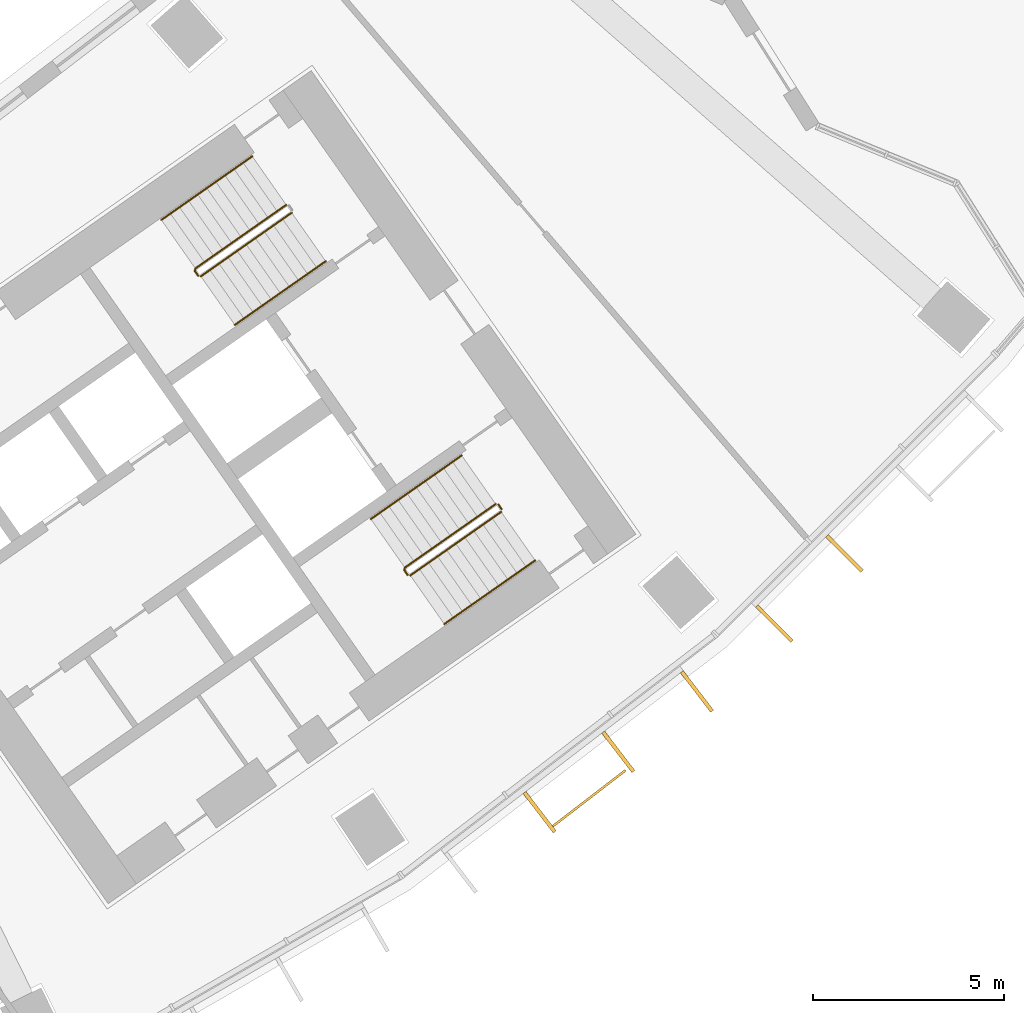
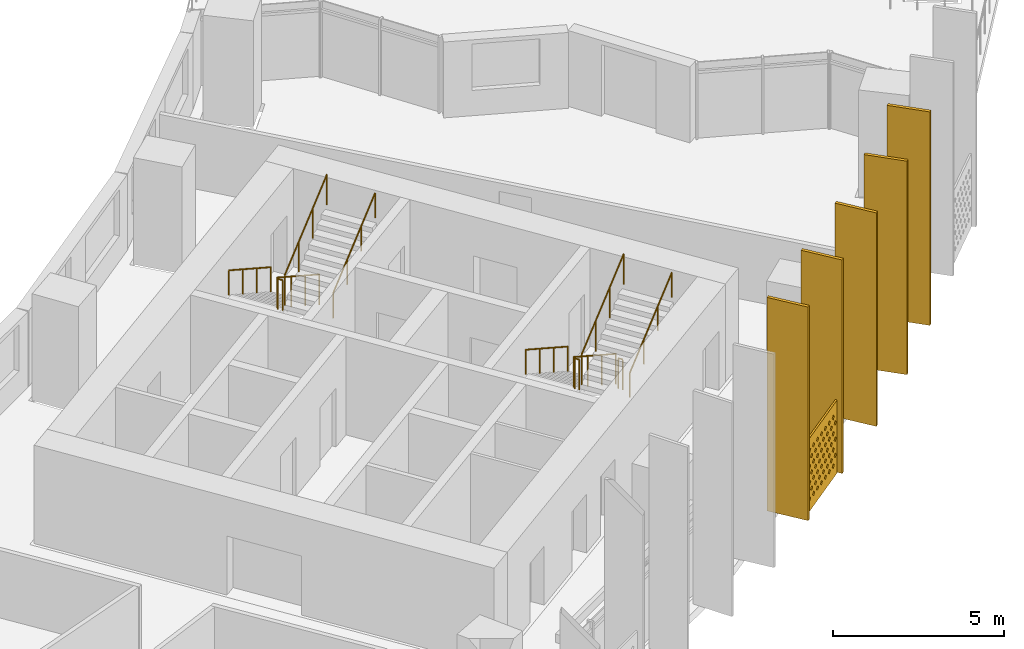
# One storey, part 30 of 33: 9 railings, 6 shading devices.
"""IFC4 building model written with IfcOpenShell, lengths in metres."""

import ifcopenshell
import ifcopenshell.guid

model = None  # the IFC model being written
_history = None  # IfcOwnerHistory: only IFC2X3 demands one
_inside = {}  # id of a spatial element -> (the spatial element, [elements in it])
_under = {}  # id of a project, library or spatial element -> (it, [spatial elements below it])
_declared = {}  # id of a project -> (the project, [libraries it declares])
_typed = {}  # id of a type object -> (the type object, [elements of that type])
_made_of = {}  # id of a material, layer set ... -> (it, [elements and type objects made of it])


def new_model(schema):
    """Start an empty IFC model of exactly this schema.

    Asked for "IFC4X3", IfcOpenShell would pick the latest addendum, in which some entities
    have other attributes; the version numbers below select the first issue.
    IFC2X3 requires an IfcOwnerHistory on every rooted entity: one is made here for all.
    """
    global model, _history
    if schema == "IFC4X3":
        model = ifcopenshell.file(schema_version=(4, 3, 0, 0))
    else:
        model = ifcopenshell.file(schema=schema)
    _inside.clear()
    _under.clear()
    _declared.clear()
    _typed.clear()
    _made_of.clear()
    _history = None
    if model.schema == "IFC2X3":
        org = make("IfcOrganization", Name="unknown")
        user = make(
            "IfcPersonAndOrganization",
            ThePerson=make("IfcPerson", FamilyName="unknown"),
            TheOrganization=org,
        )
        app = make(
            "IfcApplication",
            ApplicationDeveloper=org,
            Version="unknown",
            ApplicationFullName="unknown",
            ApplicationIdentifier="unknown",
        )
        _history = make(
            "IfcOwnerHistory",
            OwningUser=user,
            OwningApplication=app,
            ChangeAction="ADDED",
            CreationDate=0,
        )
    return model


def make(cls, **values):
    """One entity of the class cls with the attributes given. An attribute that is None is left unset."""
    return model.create_entity(
        cls, **{name: value for name, value in values.items() if value is not None}
    )


def rooted(cls, **values):
    """An entity with a GlobalId (a new one), such as an element, a storey or a relation."""
    return make(cls, GlobalId=ifcopenshell.guid.new(), OwnerHistory=_history, **values)


def si_unit(unit_type, name, prefix=None):
    """IfcSIUnit, for example si_unit("LENGTHUNIT", "METRE", prefix="MILLI")."""
    return make("IfcSIUnit", UnitType=unit_type, Prefix=prefix, Name=name)


def assignment(units):
    """IfcUnitAssignment: the units of a project."""
    return None if units is None else make("IfcUnitAssignment", Units=units)


def point(xyz):
    """IfcCartesianPoint."""
    return None if xyz is None else make("IfcCartesianPoint", Coordinates=xyz)


def direction(xyz):
    """IfcDirection."""
    return None if xyz is None else make("IfcDirection", DirectionRatios=xyz)


def frame(location, z_axis=None, x_axis=None):
    """IfcAxis2Placement3D, a coordinate frame: its origin and axes. An axis left out is left unset."""
    return make(
        "IfcAxis2Placement3D",
        Location=point(location),
        Axis=direction(z_axis),
        RefDirection=direction(x_axis),
    )


def frame_2d(location, x_axis=None):
    """IfcAxis2Placement2D, a coordinate frame in the plane: its origin and x axis."""
    return make(
        "IfcAxis2Placement2D", Location=point(location), RefDirection=direction(x_axis)
    )


def origin():
    """The frame at (0, 0, 0) with its axes left unset."""
    return frame((0.0, 0.0, 0.0))


def origin_2d():
    """The frame at (0, 0) in the plane with its x axis left unset."""
    return frame_2d((0.0, 0.0))


def place(relative_to, where):
    """IfcLocalPlacement: puts the frame where relative to a parent placement (None: the world)."""
    return make(
        "IfcLocalPlacement", PlacementRelTo=relative_to, RelativePlacement=where
    )


def context(
    kind, dimensions, precision=None, world=None, true_north=None, identifier=None
):
    """IfcGeometricRepresentationContext, for example the 3D "Model" context."""
    return make(
        "IfcGeometricRepresentationContext",
        ContextIdentifier=identifier,
        ContextType=kind,
        CoordinateSpaceDimension=dimensions,
        Precision=precision,
        WorldCoordinateSystem=world,
        TrueNorth=true_north,
    )


def subcontext(parent, identifier, kind, view, scale=None):
    """IfcGeometricRepresentationSubContext, for example "Body" below "Model"."""
    return make(
        "IfcGeometricRepresentationSubContext",
        ContextIdentifier=identifier,
        ContextType=kind,
        ParentContext=parent,
        TargetScale=scale,
        TargetView=view,
    )


def project(units=None, contexts=None):
    """IfcProject with its units and contexts."""
    return rooted(
        "IfcProject",
        Name="project",
        RepresentationContexts=contexts,
        UnitsInContext=assignment(units),
    )


def spatial(cls, under=None, at=None, **own):
    """A site, building, storey or space (cls), placed at a placement, below another one or the project."""
    s = rooted(cls, ObjectPlacement=at, **own)
    if under is not None:
        _under.setdefault(under.id(), (under, []))[1].append(s)
    return s


def polyline(points):
    """IfcPolyline through the points."""
    return make("IfcPolyline", Points=[point(p) for p in points])


def profile(cls, at=None, kind="AREA", **sizes):
    """A parametric profile (cls). Its sizes go by their IFC names, for example OverallWidth=200.0."""
    return make(cls, ProfileType=kind, Position=at, **sizes)


def rectangle(**sizes):
    """IfcRectangleProfileDef."""
    return profile("IfcRectangleProfileDef", **sizes)


def circle(**sizes):
    """IfcCircleProfileDef."""
    return profile("IfcCircleProfileDef", **sizes)


def outline(outer, holes=None, kind="AREA"):
    """IfcArbitraryClosedProfileDef: a profile drawn as a closed curve; with holes, ...WithVoids."""
    if holes is None:
        return make("IfcArbitraryClosedProfileDef", ProfileType=kind, OuterCurve=outer)
    return make(
        "IfcArbitraryProfileDefWithVoids",
        ProfileType=kind,
        OuterCurve=outer,
        InnerCurves=holes,
    )


def extrude(swept, where, along, depth):
    """IfcExtrudedAreaSolid: the profile swept, set in the frame where, extruded along a direction by depth."""
    return make(
        "IfcExtrudedAreaSolid",
        SweptArea=swept,
        Position=where,
        ExtrudedDirection=direction(along),
        Depth=depth,
    )


def shape(context_of_items, identifier, shape_type, items):
    """IfcShapeRepresentation: the items that make up one representation, for example the "Body"."""
    return make(
        "IfcShapeRepresentation",
        ContextOfItems=context_of_items,
        RepresentationIdentifier=identifier,
        RepresentationType=shape_type,
        Items=items,
    )


def material(Name=None, Category=None):
    """IfcMaterial."""
    return make("IfcMaterial", Name=Name, Category=Category)


def material_profile(
    of_material, cross_section, Name=None, Category=None, Priority=None
):
    """IfcMaterialProfile: a cross section and its material."""
    return make(
        "IfcMaterialProfile",
        Name=Name,
        Material=of_material,
        Profile=cross_section,
        Priority=Priority,
        Category=Category,
    )


def profile_set(profiles, Name=None, composite=None):
    """IfcMaterialProfileSet."""
    return make(
        "IfcMaterialProfileSet",
        Name=Name,
        MaterialProfiles=profiles,
        CompositeProfile=composite,
    )


def made_of(thing, what):
    """Note that an element or type object is made of a material, layer set ...; save() writes the relation."""
    if what is not None:
        _made_of.setdefault(what.id(), (what, []))[1].append(thing)
    return thing


def type_object(cls, material=None, **own):
    """A type object (cls), such as IfcWallType, which elements share."""
    return made_of(rooted(cls, **own), material)


def element(
    cls,
    number,
    at=None,
    inside=None,
    cuts=None,
    type_object=None,
    material=None,
    context=None,
    identifier="Body",
    shape_type=None,
    held_by="IfcProductDefinitionShape",
    body=None,
    shapes=None,
    **own,
):
    """One element of the class cls, such as IfcWall. Its Tag is "e" and its number.

    at: its placement. inside: the storey or other place that contains it. cuts: it is an
    opening in that element (IfcRelVoidsElement). A single representation is given by context,
    identifier, shape_type and body (its items); several are given by shapes. held_by: the class
    of the entity that holds the representations. save() writes the other relations.
    """
    e = rooted(cls, Tag="e%d" % number, ObjectPlacement=at, **own)
    if body is not None:
        shapes = [shape(context, identifier, shape_type, body)]
    if shapes is not None:
        e.Representation = make(held_by, Representations=shapes)
    if inside is not None:
        _inside.setdefault(inside.id(), (inside, []))[1].append(e)
    if cuts is not None:
        rooted(
            "IfcRelVoidsElement", RelatingBuildingElement=cuts, RelatedOpeningElement=e
        )
    if type_object is not None:
        _typed.setdefault(type_object.id(), (type_object, []))[1].append(e)
    return made_of(e, material)


def aggregate(whole, parts):
    """IfcRelAggregates: a whole, such as a stair, and the parts it consists of."""
    return rooted("IfcRelAggregates", RelatingObject=whole, RelatedObjects=parts)


def save(model, path):
    """Write the relations noted so far, then the file.

    IfcRelAggregates (storeys below a building ...), IfcRelContainedInSpatialStructure (elements
    in a storey), IfcRelDefinesByType, IfcRelAssociatesMaterial and IfcRelDeclares: one each for
    every whole, place, type object, material and project.
    """
    for whole, parts in _under.values():
        aggregate(whole, parts)
    for where, things in _inside.values():
        rooted(
            "IfcRelContainedInSpatialStructure",
            RelatedElements=things,
            RelatingStructure=where,
        )
    for kind, things in _typed.values():
        rooted("IfcRelDefinesByType", RelatedObjects=things, RelatingType=kind)
    for what, things in _made_of.values():
        rooted("IfcRelAssociatesMaterial", RelatedObjects=things, RelatingMaterial=what)
    for by, libraries in _declared.values():
        rooted("IfcRelDeclares", RelatingContext=by, RelatedDefinitions=libraries)
    model.write(path)


model = new_model("IFC4")

# Units and contexts
model_context = context("Model", 3, precision=1e-05, world=origin(), true_north=direction((0.0, 1.0)))
body_context = subcontext(model_context, "Body", "Model", "MODEL_VIEW")
ifc_project = project(units=[si_unit("LENGTHUNIT", "METRE"), si_unit("AREAUNIT", "SQUARE_METRE"), si_unit("VOLUMEUNIT", "CUBIC_METRE"), si_unit("PLANEANGLEUNIT", "RADIAN"), si_unit("MASSUNIT", "GRAM", prefix="KILO")], contexts=[model_context])

# Site, building, storey
site_placement = place(None, origin())
site = spatial("IfcSite", under=ifc_project, at=site_placement, CompositionType="ELEMENT")
building_placement = place(site_placement, origin())
building = spatial("IfcBuilding", under=site, at=building_placement, Name="Qamariyya Broadcast Tower", CompositionType="ELEMENT")
storey_placement = place(building_placement, frame((0.0, 0.0, 94.89990234375)))
storey = spatial("IfcBuildingStorey", under=building, at=storey_placement, Name="L20", CompositionType="ELEMENT", Elevation=94.89990234375)

# Shading device
ifc_material_1 = material(Name="Perforated glazed terracotta", Category="masonry")
ifc_material_profile_1 = material_profile(ifc_material_1, outline(polyline([(-1.199951171875, -1.300048828125), (1.199951171875, -1.300048828125), (1.199951171875, 1.300048828125), (-1.199951171875, 1.300048828125), (-1.199951171875, -1.300048828125)]), holes=[polyline([(-0.81494140625, -0.86669921875), (-0.89990234375, -0.78173828125), (-0.985107421875, -0.86669921875), (-0.89990234375, -0.95166015625), (-0.81494140625, -0.86669921875)]), polyline([(-0.514892578125, -0.86669921875), (-0.60009765625, -0.78173828125), (-0.68505859375, -0.86669921875), (-0.60009765625, -0.95166015625), (-0.514892578125, -0.86669921875)]), polyline([(-0.215087890625, -0.86669921875), (-0.300048828125, -0.78173828125), (-0.385009765625, -0.86669921875), (-0.300048828125, -0.95166015625), (-0.215087890625, -0.86669921875)]), polyline([(0.0849609375, -0.86669921875), (0.0, -0.78173828125), (-0.0849609375, -0.86669921875), (0.0, -0.95166015625), (0.0849609375, -0.86669921875)]), polyline([(0.385009765625, -0.86669921875), (0.300048828125, -0.78173828125), (0.215087890625, -0.86669921875), (0.300048828125, -0.95166015625), (0.385009765625, -0.86669921875)]), polyline([(0.68505859375, -0.86669921875), (0.60009765625, -0.78173828125), (0.514892578125, -0.86669921875), (0.60009765625, -0.95166015625), (0.68505859375, -0.86669921875)]), polyline([(0.985107421875, -0.86669921875), (0.89990234375, -0.78173828125), (0.81494140625, -0.86669921875), (0.89990234375, -0.95166015625), (0.985107421875, -0.86669921875)]), polyline([(-0.965087890625, -0.577880859375), (-1.050048828125, -0.49267578125), (-1.135009765625, -0.577880859375), (-1.050048828125, -0.662841796875), (-0.965087890625, -0.577880859375)]), polyline([(-0.6650390625, -0.577880859375), (-0.75, -0.49267578125), (-0.8349609375, -0.577880859375), (-0.75, -0.662841796875), (-0.6650390625, -0.577880859375)]), polyline([(-0.364990234375, -0.577880859375), (-0.449951171875, -0.49267578125), (-0.534912109375, -0.577880859375), (-0.449951171875, -0.662841796875), (-0.364990234375, -0.577880859375)]), polyline([(-0.06494140625, -0.577880859375), (-0.14990234375, -0.49267578125), (-0.235107421875, -0.577880859375), (-0.14990234375, -0.662841796875), (-0.06494140625, -0.577880859375)]), polyline([(0.235107421875, -0.577880859375), (0.14990234375, -0.49267578125), (0.06494140625, -0.577880859375), (0.14990234375, -0.662841796875), (0.235107421875, -0.577880859375)]), polyline([(0.534912109375, -0.577880859375), (0.449951171875, -0.49267578125), (0.364990234375, -0.577880859375), (0.449951171875, -0.662841796875), (0.534912109375, -0.577880859375)]), polyline([(0.8349609375, -0.577880859375), (0.75, -0.49267578125), (0.6650390625, -0.577880859375), (0.75, -0.662841796875), (0.8349609375, -0.577880859375)]), polyline([(1.135009765625, -0.577880859375), (1.050048828125, -0.49267578125), (0.965087890625, -0.577880859375), (1.050048828125, -0.662841796875), (1.135009765625, -0.577880859375)]), polyline([(-0.81494140625, -0.288818359375), (-0.89990234375, -0.203857421875), (-0.985107421875, -0.288818359375), (-0.89990234375, -0.373779296875), (-0.81494140625, -0.288818359375)]), polyline([(-0.514892578125, -0.288818359375), (-0.60009765625, -0.203857421875), (-0.68505859375, -0.288818359375), (-0.60009765625, -0.373779296875), (-0.514892578125, -0.288818359375)]), polyline([(-0.215087890625, -0.288818359375), (-0.300048828125, -0.203857421875), (-0.385009765625, -0.288818359375), (-0.300048828125, -0.373779296875), (-0.215087890625, -0.288818359375)]), polyline([(0.0849609375, -0.288818359375), (0.0, -0.203857421875), (-0.0849609375, -0.288818359375), (0.0, -0.373779296875), (0.0849609375, -0.288818359375)]), polyline([(0.385009765625, -0.288818359375), (0.300048828125, -0.203857421875), (0.215087890625, -0.288818359375), (0.300048828125, -0.373779296875), (0.385009765625, -0.288818359375)]), polyline([(0.68505859375, -0.288818359375), (0.60009765625, -0.203857421875), (0.514892578125, -0.288818359375), (0.60009765625, -0.373779296875), (0.68505859375, -0.288818359375)]), polyline([(0.985107421875, -0.288818359375), (0.89990234375, -0.203857421875), (0.81494140625, -0.288818359375), (0.89990234375, -0.373779296875), (0.985107421875, -0.288818359375)]), polyline([(-0.965087890625, 0.0), (-1.050048828125, 0.0849609375), (-1.135009765625, 0.0), (-1.050048828125, -0.0849609375), (-0.965087890625, 0.0)]), polyline([(-0.6650390625, 0.0), (-0.75, 0.0849609375), (-0.8349609375, 0.0), (-0.75, -0.0849609375), (-0.6650390625, 0.0)]), polyline([(-0.364990234375, 0.0), (-0.449951171875, 0.0849609375), (-0.534912109375, 0.0), (-0.449951171875, -0.0849609375), (-0.364990234375, 0.0)]), polyline([(-0.06494140625, 0.0), (-0.14990234375, 0.0849609375), (-0.235107421875, 0.0), (-0.14990234375, -0.0849609375), (-0.06494140625, 0.0)]), polyline([(0.235107421875, 0.0), (0.14990234375, 0.0849609375), (0.06494140625, 0.0), (0.14990234375, -0.0849609375), (0.235107421875, 0.0)]), polyline([(0.534912109375, 0.0), (0.449951171875, 0.0849609375), (0.364990234375, 0.0), (0.449951171875, -0.0849609375), (0.534912109375, 0.0)]), polyline([(0.8349609375, 0.0), (0.75, 0.0849609375), (0.6650390625, 0.0), (0.75, -0.0849609375), (0.8349609375, 0.0)]), polyline([(1.135009765625, 0.0), (1.050048828125, 0.0849609375), (0.965087890625, 0.0), (1.050048828125, -0.0849609375), (1.135009765625, 0.0)]), polyline([(-0.81494140625, 0.288818359375), (-0.89990234375, 0.373779296875), (-0.985107421875, 0.288818359375), (-0.89990234375, 0.203857421875), (-0.81494140625, 0.288818359375)]), polyline([(-0.514892578125, 0.288818359375), (-0.60009765625, 0.373779296875), (-0.68505859375, 0.288818359375), (-0.60009765625, 0.203857421875), (-0.514892578125, 0.288818359375)]), polyline([(-0.215087890625, 0.288818359375), (-0.300048828125, 0.373779296875), (-0.385009765625, 0.288818359375), (-0.300048828125, 0.203857421875), (-0.215087890625, 0.288818359375)]), polyline([(0.0849609375, 0.288818359375), (0.0, 0.373779296875), (-0.0849609375, 0.288818359375), (0.0, 0.203857421875), (0.0849609375, 0.288818359375)]), polyline([(0.385009765625, 0.288818359375), (0.300048828125, 0.373779296875), (0.215087890625, 0.288818359375), (0.300048828125, 0.203857421875), (0.385009765625, 0.288818359375)]), polyline([(0.68505859375, 0.288818359375), (0.60009765625, 0.373779296875), (0.514892578125, 0.288818359375), (0.60009765625, 0.203857421875), (0.68505859375, 0.288818359375)]), polyline([(0.985107421875, 0.288818359375), (0.89990234375, 0.373779296875), (0.81494140625, 0.288818359375), (0.89990234375, 0.203857421875), (0.985107421875, 0.288818359375)]), polyline([(-0.965087890625, 0.577880859375), (-1.050048828125, 0.662841796875), (-1.135009765625, 0.577880859375), (-1.050048828125, 0.49267578125), (-0.965087890625, 0.577880859375)]), polyline([(-0.6650390625, 0.577880859375), (-0.75, 0.662841796875), (-0.8349609375, 0.577880859375), (-0.75, 0.49267578125), (-0.6650390625, 0.577880859375)]), polyline([(-0.364990234375, 0.577880859375), (-0.449951171875, 0.662841796875), (-0.534912109375, 0.577880859375), (-0.449951171875, 0.49267578125), (-0.364990234375, 0.577880859375)]), polyline([(-0.06494140625, 0.577880859375), (-0.14990234375, 0.662841796875), (-0.235107421875, 0.577880859375), (-0.14990234375, 0.49267578125), (-0.06494140625, 0.577880859375)]), polyline([(0.235107421875, 0.577880859375), (0.14990234375, 0.662841796875), (0.06494140625, 0.577880859375), (0.14990234375, 0.49267578125), (0.235107421875, 0.577880859375)]), polyline([(0.534912109375, 0.577880859375), (0.449951171875, 0.662841796875), (0.364990234375, 0.577880859375), (0.449951171875, 0.49267578125), (0.534912109375, 0.577880859375)]), polyline([(0.8349609375, 0.577880859375), (0.75, 0.662841796875), (0.6650390625, 0.577880859375), (0.75, 0.49267578125), (0.8349609375, 0.577880859375)]), polyline([(1.135009765625, 0.577880859375), (1.050048828125, 0.662841796875), (0.965087890625, 0.577880859375), (1.050048828125, 0.49267578125), (1.135009765625, 0.577880859375)]), polyline([(-0.81494140625, 0.86669921875), (-0.89990234375, 0.95166015625), (-0.985107421875, 0.86669921875), (-0.89990234375, 0.78173828125), (-0.81494140625, 0.86669921875)]), polyline([(-0.514892578125, 0.86669921875), (-0.60009765625, 0.95166015625), (-0.68505859375, 0.86669921875), (-0.60009765625, 0.78173828125), (-0.514892578125, 0.86669921875)]), polyline([(-0.215087890625, 0.86669921875), (-0.300048828125, 0.95166015625), (-0.385009765625, 0.86669921875), (-0.300048828125, 0.78173828125), (-0.215087890625, 0.86669921875)]), polyline([(0.0849609375, 0.86669921875), (0.0, 0.95166015625), (-0.0849609375, 0.86669921875), (0.0, 0.78173828125), (0.0849609375, 0.86669921875)]), polyline([(0.385009765625, 0.86669921875), (0.300048828125, 0.95166015625), (0.215087890625, 0.86669921875), (0.300048828125, 0.78173828125), (0.385009765625, 0.86669921875)]), polyline([(0.68505859375, 0.86669921875), (0.60009765625, 0.95166015625), (0.514892578125, 0.86669921875), (0.60009765625, 0.78173828125), (0.68505859375, 0.86669921875)]), polyline([(0.985107421875, 0.86669921875), (0.89990234375, 0.95166015625), (0.81494140625, 0.86669921875), (0.89990234375, 0.78173828125), (0.985107421875, 0.86669921875)])]))
ifc_profile_set_1 = profile_set([ifc_material_profile_1], Name="Perforated glazed terracotta")
shading_device_type_1 = type_object("IfcShadingDeviceType", Name="Perforated terracotta screen 2400 x 2600", PredefinedType="USERDEFINED", material=ifc_profile_set_1)
shading_device_placement = place(storey_placement, frame((48.907470703125, -63.814208984375, 1.35009765625), z_axis=(0.60971076085, -0.792623989105, 0.0), x_axis=(0.792623989105, 0.60971076085, 0.0)))
element("IfcShadingDevice", 1, at=shading_device_placement, inside=storey, type_object=shading_device_type_1, Name="e-scr-L20-14-1", ObjectType="SCREEN", PredefinedType="USERDEFINED", context=body_context, shape_type="SweptSolid", body=[
    extrude(outline(polyline([(-1.199951171875, -1.300048828125), (1.199951171875, -1.300048828125), (1.199951171875, 1.300048828125), (-1.199951171875, 1.300048828125), (-1.199951171875, -1.300048828125)]), holes=[polyline([(-0.81494140625, -0.86669921875), (-0.89990234375, -0.78173828125), (-0.985107421875, -0.86669921875), (-0.89990234375, -0.95166015625), (-0.81494140625, -0.86669921875)]), polyline([(-0.514892578125, -0.86669921875), (-0.60009765625, -0.78173828125), (-0.68505859375, -0.86669921875), (-0.60009765625, -0.95166015625), (-0.514892578125, -0.86669921875)]), polyline([(-0.215087890625, -0.86669921875), (-0.300048828125, -0.78173828125), (-0.385009765625, -0.86669921875), (-0.300048828125, -0.95166015625), (-0.215087890625, -0.86669921875)]), polyline([(0.0849609375, -0.86669921875), (0.0, -0.78173828125), (-0.0849609375, -0.86669921875), (0.0, -0.95166015625), (0.0849609375, -0.86669921875)]), polyline([(0.385009765625, -0.86669921875), (0.300048828125, -0.78173828125), (0.215087890625, -0.86669921875), (0.300048828125, -0.95166015625), (0.385009765625, -0.86669921875)]), polyline([(0.68505859375, -0.86669921875), (0.60009765625, -0.78173828125), (0.514892578125, -0.86669921875), (0.60009765625, -0.95166015625), (0.68505859375, -0.86669921875)]), polyline([(0.985107421875, -0.86669921875), (0.89990234375, -0.78173828125), (0.81494140625, -0.86669921875), (0.89990234375, -0.95166015625), (0.985107421875, -0.86669921875)]), polyline([(-0.965087890625, -0.577880859375), (-1.050048828125, -0.49267578125), (-1.135009765625, -0.577880859375), (-1.050048828125, -0.662841796875), (-0.965087890625, -0.577880859375)]), polyline([(-0.6650390625, -0.577880859375), (-0.75, -0.49267578125), (-0.8349609375, -0.577880859375), (-0.75, -0.662841796875), (-0.6650390625, -0.577880859375)]), polyline([(-0.364990234375, -0.577880859375), (-0.449951171875, -0.49267578125), (-0.534912109375, -0.577880859375), (-0.449951171875, -0.662841796875), (-0.364990234375, -0.577880859375)]), polyline([(-0.06494140625, -0.577880859375), (-0.14990234375, -0.49267578125), (-0.235107421875, -0.577880859375), (-0.14990234375, -0.662841796875), (-0.06494140625, -0.577880859375)]), polyline([(0.235107421875, -0.577880859375), (0.14990234375, -0.49267578125), (0.06494140625, -0.577880859375), (0.14990234375, -0.662841796875), (0.235107421875, -0.577880859375)]), polyline([(0.534912109375, -0.577880859375), (0.449951171875, -0.49267578125), (0.364990234375, -0.577880859375), (0.449951171875, -0.662841796875), (0.534912109375, -0.577880859375)]), polyline([(0.8349609375, -0.577880859375), (0.75, -0.49267578125), (0.6650390625, -0.577880859375), (0.75, -0.662841796875), (0.8349609375, -0.577880859375)]), polyline([(1.135009765625, -0.577880859375), (1.050048828125, -0.49267578125), (0.965087890625, -0.577880859375), (1.050048828125, -0.662841796875), (1.135009765625, -0.577880859375)]), polyline([(-0.81494140625, -0.288818359375), (-0.89990234375, -0.203857421875), (-0.985107421875, -0.288818359375), (-0.89990234375, -0.373779296875), (-0.81494140625, -0.288818359375)]), polyline([(-0.514892578125, -0.288818359375), (-0.60009765625, -0.203857421875), (-0.68505859375, -0.288818359375), (-0.60009765625, -0.373779296875), (-0.514892578125, -0.288818359375)]), polyline([(-0.215087890625, -0.288818359375), (-0.300048828125, -0.203857421875), (-0.385009765625, -0.288818359375), (-0.300048828125, -0.373779296875), (-0.215087890625, -0.288818359375)]), polyline([(0.0849609375, -0.288818359375), (0.0, -0.203857421875), (-0.0849609375, -0.288818359375), (0.0, -0.373779296875), (0.0849609375, -0.288818359375)]), polyline([(0.385009765625, -0.288818359375), (0.300048828125, -0.203857421875), (0.215087890625, -0.288818359375), (0.300048828125, -0.373779296875), (0.385009765625, -0.288818359375)]), polyline([(0.68505859375, -0.288818359375), (0.60009765625, -0.203857421875), (0.514892578125, -0.288818359375), (0.60009765625, -0.373779296875), (0.68505859375, -0.288818359375)]), polyline([(0.985107421875, -0.288818359375), (0.89990234375, -0.203857421875), (0.81494140625, -0.288818359375), (0.89990234375, -0.373779296875), (0.985107421875, -0.288818359375)]), polyline([(-0.965087890625, 0.0), (-1.050048828125, 0.0849609375), (-1.135009765625, 0.0), (-1.050048828125, -0.0849609375), (-0.965087890625, 0.0)]), polyline([(-0.6650390625, 0.0), (-0.75, 0.0849609375), (-0.8349609375, 0.0), (-0.75, -0.0849609375), (-0.6650390625, 0.0)]), polyline([(-0.364990234375, 0.0), (-0.449951171875, 0.0849609375), (-0.534912109375, 0.0), (-0.449951171875, -0.0849609375), (-0.364990234375, 0.0)]), polyline([(-0.06494140625, 0.0), (-0.14990234375, 0.0849609375), (-0.235107421875, 0.0), (-0.14990234375, -0.0849609375), (-0.06494140625, 0.0)]), polyline([(0.235107421875, 0.0), (0.14990234375, 0.0849609375), (0.06494140625, 0.0), (0.14990234375, -0.0849609375), (0.235107421875, 0.0)]), polyline([(0.534912109375, 0.0), (0.449951171875, 0.0849609375), (0.364990234375, 0.0), (0.449951171875, -0.0849609375), (0.534912109375, 0.0)]), polyline([(0.8349609375, 0.0), (0.75, 0.0849609375), (0.6650390625, 0.0), (0.75, -0.0849609375), (0.8349609375, 0.0)]), polyline([(1.135009765625, 0.0), (1.050048828125, 0.0849609375), (0.965087890625, 0.0), (1.050048828125, -0.0849609375), (1.135009765625, 0.0)]), polyline([(-0.81494140625, 0.288818359375), (-0.89990234375, 0.373779296875), (-0.985107421875, 0.288818359375), (-0.89990234375, 0.203857421875), (-0.81494140625, 0.288818359375)]), polyline([(-0.514892578125, 0.288818359375), (-0.60009765625, 0.373779296875), (-0.68505859375, 0.288818359375), (-0.60009765625, 0.203857421875), (-0.514892578125, 0.288818359375)]), polyline([(-0.215087890625, 0.288818359375), (-0.300048828125, 0.373779296875), (-0.385009765625, 0.288818359375), (-0.300048828125, 0.203857421875), (-0.215087890625, 0.288818359375)]), polyline([(0.0849609375, 0.288818359375), (0.0, 0.373779296875), (-0.0849609375, 0.288818359375), (0.0, 0.203857421875), (0.0849609375, 0.288818359375)]), polyline([(0.385009765625, 0.288818359375), (0.300048828125, 0.373779296875), (0.215087890625, 0.288818359375), (0.300048828125, 0.203857421875), (0.385009765625, 0.288818359375)]), polyline([(0.68505859375, 0.288818359375), (0.60009765625, 0.373779296875), (0.514892578125, 0.288818359375), (0.60009765625, 0.203857421875), (0.68505859375, 0.288818359375)]), polyline([(0.985107421875, 0.288818359375), (0.89990234375, 0.373779296875), (0.81494140625, 0.288818359375), (0.89990234375, 0.203857421875), (0.985107421875, 0.288818359375)]), polyline([(-0.965087890625, 0.577880859375), (-1.050048828125, 0.662841796875), (-1.135009765625, 0.577880859375), (-1.050048828125, 0.49267578125), (-0.965087890625, 0.577880859375)]), polyline([(-0.6650390625, 0.577880859375), (-0.75, 0.662841796875), (-0.8349609375, 0.577880859375), (-0.75, 0.49267578125), (-0.6650390625, 0.577880859375)]), polyline([(-0.364990234375, 0.577880859375), (-0.449951171875, 0.662841796875), (-0.534912109375, 0.577880859375), (-0.449951171875, 0.49267578125), (-0.364990234375, 0.577880859375)]), polyline([(-0.06494140625, 0.577880859375), (-0.14990234375, 0.662841796875), (-0.235107421875, 0.577880859375), (-0.14990234375, 0.49267578125), (-0.06494140625, 0.577880859375)]), polyline([(0.235107421875, 0.577880859375), (0.14990234375, 0.662841796875), (0.06494140625, 0.577880859375), (0.14990234375, 0.49267578125), (0.235107421875, 0.577880859375)]), polyline([(0.534912109375, 0.577880859375), (0.449951171875, 0.662841796875), (0.364990234375, 0.577880859375), (0.449951171875, 0.49267578125), (0.534912109375, 0.577880859375)]), polyline([(0.8349609375, 0.577880859375), (0.75, 0.662841796875), (0.6650390625, 0.577880859375), (0.75, 0.49267578125), (0.8349609375, 0.577880859375)]), polyline([(1.135009765625, 0.577880859375), (1.050048828125, 0.662841796875), (0.965087890625, 0.577880859375), (1.050048828125, 0.49267578125), (1.135009765625, 0.577880859375)]), polyline([(-0.81494140625, 0.86669921875), (-0.89990234375, 0.95166015625), (-0.985107421875, 0.86669921875), (-0.89990234375, 0.78173828125), (-0.81494140625, 0.86669921875)]), polyline([(-0.514892578125, 0.86669921875), (-0.60009765625, 0.95166015625), (-0.68505859375, 0.86669921875), (-0.60009765625, 0.78173828125), (-0.514892578125, 0.86669921875)]), polyline([(-0.215087890625, 0.86669921875), (-0.300048828125, 0.95166015625), (-0.385009765625, 0.86669921875), (-0.300048828125, 0.78173828125), (-0.215087890625, 0.86669921875)]), polyline([(0.0849609375, 0.86669921875), (0.0, 0.95166015625), (-0.0849609375, 0.86669921875), (0.0, 0.78173828125), (0.0849609375, 0.86669921875)]), polyline([(0.385009765625, 0.86669921875), (0.300048828125, 0.95166015625), (0.215087890625, 0.86669921875), (0.300048828125, 0.78173828125), (0.385009765625, 0.86669921875)]), polyline([(0.68505859375, 0.86669921875), (0.60009765625, 0.95166015625), (0.514892578125, 0.86669921875), (0.60009765625, 0.78173828125), (0.68505859375, 0.86669921875)]), polyline([(0.985107421875, 0.86669921875), (0.89990234375, 0.95166015625), (0.81494140625, 0.86669921875), (0.89990234375, 0.78173828125), (0.985107421875, 0.86669921875)])]), origin(), (0.0, 0.0, 1.0), 0.06005859375),
])

# Railings
ifc_material_2 = material(Name="Painted steel", Category="steel")
railing_type_1 = type_object("IfcRailingType", Name="Stair guard", PredefinedType="GUARDRAIL", material=ifc_material_2)
railing_1_placement = place(storey_placement, frame((41.003173828125, -48.320068359375, 0.1728515625)))
element("IfcRailing", 2, at=railing_1_placement, inside=storey, type_object=railing_type_1, Name="L20 ST-E2 stair guard 1", PredefinedType="GUARDRAIL", context=body_context, shape_type="SweptSolid", body=[
    extrude(circle(Radius=0.02392578125, at=origin_2d()), frame((0.0, 0.0, 1.076171875), z_axis=(-0.703770094002, -0.492783725636, 0.511734163933), x_axis=(0.573575343427, -0.819152809562, 0.0)), (0.0, 0.0, 1.0), 3.37548828125),
    extrude(circle(Radius=0.02392578125, at=origin_2d()), frame((-2.37548828125, -1.663330078125, 2.80322265625), z_axis=(-0.172799478008, -0.984957024646, 0.0), x_axis=(0.984957024646, -0.172799478008, 0.0)), (0.0, 0.0, 1.0), 0.070556640625),
    extrude(circle(Radius=0.02392578125, at=origin_2d()), frame((-2.3876953125, -1.73291015625, 2.80322265625), z_axis=(0.572588637393, -0.819842821722, 0.0), x_axis=(0.819842821722, 0.572588637393, 0.0)), (0.0, 0.0, 1.0), 0.150146484375),
    extrude(circle(Radius=0.02099609375, at=origin_2d()), origin(), (0.0, 0.0, 1.0), 1.052001953125),
    extrude(circle(Radius=0.02099609375, at=origin_2d()), frame((-0.791748046875, -0.554443359375, 0.57568359375)), (0.0, 0.0, 1.0), 1.052001953125),
    extrude(circle(Radius=0.02099609375, at=origin_2d()), frame((-1.583740234375, -1.10888671875, 1.151611328125)), (0.0, 0.0, 1.0), 1.052001953125),
    extrude(circle(Radius=0.02099609375, at=origin_2d()), frame((-2.37548828125, -1.663330078125, 1.727294921875)), (0.0, 0.0, 1.0), 1.052001953125),
    extrude(circle(Radius=0.02099609375, at=origin_2d()), frame((-2.3876953125, -1.73291015625, 1.727294921875)), (0.0, 0.0, 1.0), 1.052001953125),
    extrude(circle(Radius=0.02099609375, at=origin_2d()), frame((-2.3017578125, -1.85595703125, 1.727294921875)), (0.0, 0.0, 1.0), 1.052001953125),
])
railing_2_placement = place(storey_placement, frame((38.771240234375, -50.188232421875, 2.07275390625)))
element("IfcRailing", 3, at=railing_2_placement, inside=storey, type_object=railing_type_1, Name="L20 ST-E2 stair guard 2", PredefinedType="GUARDRAIL", context=body_context, shape_type="SweptSolid", body=[
    extrude(circle(Radius=0.02392578125, at=origin_2d()), frame((0.0, 0.0, 1.076171875), z_axis=(0.703770094002, 0.492783725636, 0.511734163933), x_axis=(-0.573575343427, 0.819152809562, 0.0)), (0.0, 0.0, 1.0), 3.37548828125),
    extrude(circle(Radius=0.02099609375, at=origin_2d()), origin(), (0.0, 0.0, 1.0), 1.052001953125),
    extrude(circle(Radius=0.02099609375, at=origin_2d()), frame((0.791748046875, 0.554443359375, 0.57568359375)), (0.0, 0.0, 1.0), 1.052001953125),
    extrude(circle(Radius=0.02099609375, at=origin_2d()), frame((1.583740234375, 1.10888671875, 1.151611328125)), (0.0, 0.0, 1.0), 1.052001953125),
    extrude(circle(Radius=0.02099609375, at=origin_2d()), frame((2.37548828125, 1.663330078125, 1.727294921875)), (0.0, 0.0, 1.0), 1.052001953125),
])
railing_3_placement = place(storey_placement, frame((46.48095703125, -56.14306640625, 0.1728515625)))
element("IfcRailing", 4, at=railing_3_placement, inside=storey, type_object=railing_type_1, Name="L20 ST-E1 stair guard 1", PredefinedType="GUARDRAIL", context=body_context, shape_type="SweptSolid", body=[
    extrude(circle(Radius=0.02392578125, at=origin_2d()), frame((0.0, 0.0, 1.076171875), z_axis=(-0.703770094002, -0.492783725636, 0.511734163933), x_axis=(0.573575343427, -0.819152809562, 0.0)), (0.0, 0.0, 1.0), 3.37548828125),
    extrude(circle(Radius=0.02392578125, at=origin_2d()), frame((-2.37548828125, -1.663330078125, 2.80322265625), z_axis=(-0.176149252506, -0.984363469884, 0.0), x_axis=(0.984363469884, -0.176149252506, 0.0)), (0.0, 0.0, 1.0), 0.07080078125),
    extrude(circle(Radius=0.02392578125, at=origin_2d()), frame((-2.387939453125, -1.73291015625, 2.80322265625), z_axis=(0.574444878118, -0.818543268254, 0.0), x_axis=(0.818543268254, 0.574444878118, 0.0)), (0.0, 0.0, 1.0), 0.150146484375),
    extrude(circle(Radius=0.02099609375, at=origin_2d()), origin(), (0.0, 0.0, 1.0), 1.052001953125),
    extrude(circle(Radius=0.02099609375, at=origin_2d()), frame((-0.791748046875, -0.554443359375, 0.57568359375)), (0.0, 0.0, 1.0), 1.052001953125),
    extrude(circle(Radius=0.02099609375, at=origin_2d()), frame((-1.583740234375, -1.10888671875, 1.151611328125)), (0.0, 0.0, 1.0), 1.052001953125),
    extrude(circle(Radius=0.02099609375, at=origin_2d()), frame((-2.37548828125, -1.663330078125, 1.727294921875)), (0.0, 0.0, 1.0), 1.052001953125),
    extrude(circle(Radius=0.02099609375, at=origin_2d()), frame((-2.387939453125, -1.73291015625, 1.727294921875)), (0.0, 0.0, 1.0), 1.052001953125),
    extrude(circle(Radius=0.02099609375, at=origin_2d()), frame((-2.3017578125, -1.855712890625, 1.727294921875)), (0.0, 0.0, 1.0), 1.052001953125),
])
railing_4_placement = place(storey_placement, frame((44.248779296875, -58.01123046875, 2.07275390625)))
element("IfcRailing", 5, at=railing_4_placement, inside=storey, type_object=railing_type_1, Name="L20 ST-E1 stair guard 2", PredefinedType="GUARDRAIL", context=body_context, shape_type="SweptSolid", body=[
    extrude(circle(Radius=0.02392578125, at=origin_2d()), frame((0.0, 0.0, 1.076171875), z_axis=(0.703745009021, 0.492838488332, 0.511715923826), x_axis=(-0.573631830683, 0.819113253969, 0.0)), (0.0, 0.0, 1.0), 3.37548828125),
    extrude(circle(Radius=0.02099609375, at=origin_2d()), origin(), (0.0, 0.0, 1.0), 1.052001953125),
    extrude(circle(Radius=0.02099609375, at=origin_2d()), frame((0.791748046875, 0.554443359375, 0.57568359375)), (0.0, 0.0, 1.0), 1.052001953125),
    extrude(circle(Radius=0.02099609375, at=origin_2d()), frame((1.583740234375, 1.109130859375, 1.151611328125)), (0.0, 0.0, 1.0), 1.052001953125),
    extrude(circle(Radius=0.02099609375, at=origin_2d()), frame((2.37548828125, 1.66357421875, 1.727294921875)), (0.0, 0.0, 1.0), 1.052001953125),
])
railing_5_placement = place(storey_placement, frame((46.550537109375, -56.1552734375, 0.0)))
element("IfcRailing", 6, at=railing_5_placement, inside=storey, type_object=railing_type_1, Name="L20 ST-E1 stair guard 3", PredefinedType="GUARDRAIL", context=body_context, shape_type="SweptSolid", body=[
    extrude(circle(Radius=0.02392578125, at=origin_2d()), frame((0.0, 0.0, 1.076171875), z_axis=(0.574444878118, -0.818543268254, 0.0), x_axis=(0.818543268254, 0.574444878118, 0.0)), (0.0, 0.0, 1.0), 0.150146484375),
    extrude(circle(Radius=0.02099609375, at=origin_2d()), origin(), (0.0, 0.0, 1.0), 1.052001953125),
    extrude(circle(Radius=0.02099609375, at=origin_2d()), frame((0.086181640625, -0.122802734375, 0.0)), (0.0, 0.0, 1.0), 1.052001953125),
])
ifc_material_3 = material(Name="Stainless steel", Category="steel")
railing_type_2 = type_object("IfcRailingType", Name="Stair handrail", PredefinedType="HANDRAIL", material=ifc_material_3)
railing_6_placement = place(storey_placement, frame((40.1142578125, -47.05029296875, 0.1728515625)))
element("IfcRailing", 7, at=railing_6_placement, inside=storey, type_object=railing_type_2, Name="L20 ST-E2 stair handrail 1", PredefinedType="HANDRAIL", context=body_context, shape_type="SweptSolid", body=[
    extrude(circle(Radius=0.02392578125, at=origin_2d()), frame((0.0, 0.0, 0.8759765625), z_axis=(-0.703745009021, -0.492838488332, 0.511715923826), x_axis=(0.573631830683, -0.819113253969, 0.0)), (0.0, 0.0, 1.0), 3.37548828125),
    extrude(circle(Radius=0.02099609375, at=origin_2d()), origin(), (0.0, 0.0, 1.0), 0.851806640625),
    extrude(circle(Radius=0.02099609375, at=origin_2d()), frame((-0.791748046875, -0.554443359375, 0.57568359375)), (0.0, 0.0, 1.0), 0.851806640625),
    extrude(circle(Radius=0.02099609375, at=origin_2d()), frame((-1.583740234375, -1.109130859375, 1.151611328125)), (0.0, 0.0, 1.0), 0.851806640625),
    extrude(circle(Radius=0.02099609375, at=origin_2d()), frame((-2.37548828125, -1.66357421875, 1.727294921875)), (0.0, 0.0, 1.0), 0.851806640625),
])
railing_7_placement = place(storey_placement, frame((39.66015625, -51.4580078125, 2.07275390625)))
element("IfcRailing", 8, at=railing_7_placement, inside=storey, type_object=railing_type_2, Name="L20 ST-E2 stair handrail 2", PredefinedType="HANDRAIL", context=body_context, shape_type="SweptSolid", body=[
    extrude(circle(Radius=0.02392578125, at=origin_2d()), frame((0.0, 0.0, 0.8759765625), z_axis=(0.703745009021, 0.492838488332, 0.511715923826), x_axis=(-0.573631830683, 0.819113253969, 0.0)), (0.0, 0.0, 1.0), 3.37548828125),
    extrude(circle(Radius=0.02099609375, at=origin_2d()), origin(), (0.0, 0.0, 1.0), 0.851806640625),
    extrude(circle(Radius=0.02099609375, at=origin_2d()), frame((0.791748046875, 0.554443359375, 0.57568359375)), (0.0, 0.0, 1.0), 0.851806640625),
    extrude(circle(Radius=0.02099609375, at=origin_2d()), frame((1.583740234375, 1.109130859375, 1.151611328125)), (0.0, 0.0, 1.0), 0.851806640625),
    extrude(circle(Radius=0.02099609375, at=origin_2d()), frame((2.37548828125, 1.66357421875, 1.727294921875)), (0.0, 0.0, 1.0), 0.851806640625),
])
railing_8_placement = place(storey_placement, frame((45.591796875, -54.873291015625, 0.1728515625)))
element("IfcRailing", 9, at=railing_8_placement, inside=storey, type_object=railing_type_2, Name="L20 ST-E1 stair handrail 1", PredefinedType="HANDRAIL", context=body_context, shape_type="SweptSolid", body=[
    extrude(circle(Radius=0.02392578125, at=origin_2d()), frame((0.0, 0.0, 0.8759765625), z_axis=(-0.703770094002, -0.492783725636, 0.511734163933), x_axis=(0.573575343427, -0.819152809562, 0.0)), (0.0, 0.0, 1.0), 3.37548828125),
    extrude(circle(Radius=0.02099609375, at=origin_2d()), origin(), (0.0, 0.0, 1.0), 0.851806640625),
    extrude(circle(Radius=0.02099609375, at=origin_2d()), frame((-0.791748046875, -0.554443359375, 0.57568359375)), (0.0, 0.0, 1.0), 0.851806640625),
    extrude(circle(Radius=0.02099609375, at=origin_2d()), frame((-1.583740234375, -1.10888671875, 1.151611328125)), (0.0, 0.0, 1.0), 0.851806640625),
    extrude(circle(Radius=0.02099609375, at=origin_2d()), frame((-2.37548828125, -1.663330078125, 1.727294921875)), (0.0, 0.0, 1.0), 0.851806640625),
])
railing_9_placement = place(storey_placement, frame((45.137939453125, -59.28076171875, 2.07275390625)))
element("IfcRailing", 10, at=railing_9_placement, inside=storey, type_object=railing_type_2, Name="L20 ST-E1 stair handrail 2", PredefinedType="HANDRAIL", context=body_context, shape_type="SweptSolid", body=[
    extrude(circle(Radius=0.02392578125, at=origin_2d()), frame((0.0, 0.0, 0.8759765625), z_axis=(0.703770094002, 0.492783725636, 0.511734163933), x_axis=(-0.573575343427, 0.819152809562, 0.0)), (0.0, 0.0, 1.0), 3.37548828125),
    extrude(circle(Radius=0.02099609375, at=origin_2d()), origin(), (0.0, 0.0, 1.0), 0.851806640625),
    extrude(circle(Radius=0.02099609375, at=origin_2d()), frame((0.791748046875, 0.554443359375, 0.57568359375)), (0.0, 0.0, 1.0), 0.851806640625),
    extrude(circle(Radius=0.02099609375, at=origin_2d()), frame((1.583740234375, 1.10888671875, 1.151611328125)), (0.0, 0.0, 1.0), 0.851806640625),
    extrude(circle(Radius=0.02099609375, at=origin_2d()), frame((2.37548828125, 1.663330078125, 1.727294921875)), (0.0, 0.0, 1.0), 0.851806640625),
])

# Shading devices
ifc_material_4 = material(Name="Glazed terracotta", Category="masonry")
ifc_material_profile_2 = material_profile(ifc_material_4, rectangle(XDim=1.300048828125, YDim=0.10009765625, at=origin_2d()))
ifc_profile_set_2 = profile_set([ifc_material_profile_2], Name="Glazed terracotta")
shading_device_type_2 = type_object("IfcShadingDeviceType", Name="Terracotta fin 100 x 1300", PredefinedType="USERDEFINED", material=ifc_profile_set_2)
for number, where, z_axis, x_axis, name in (
    (11, (47.629638671875, -64.2021484375, 0.0), (0.0, 0.0, 1.0), (0.608761429009, -0.793353340291, 0.0), "e-fin-L20-14-1"),
    (12, (49.68701171875, -62.62353515625, 0.0), (0.0, 0.0, 1.0), (0.608761429009, -0.793353340291, 0.0), "e-fin-L20-14-2"),
    (13, (51.744384765625, -61.044921875, 0.0), (0.0, 0.0, 1.0), (0.608761429009, -0.793353340291, 0.0), "e-fin-L20-14-3"),
    (14, (53.7685546875, -59.269775390625, 0.0), (0.0, 0.0, 1.0), (0.707106781187, -0.707106781187, 0.0), "e-fin-L20-15-0"),
    (15, (55.602294921875, -57.43603515625, 0.0), (0.0, 0.0, 1.0), (0.707106781187, -0.707106781187, 0.0), "e-fin-L20-15-1"),
):
    element("IfcShadingDevice", number, at=place(storey_placement, frame(where, z_axis=z_axis, x_axis=x_axis)), inside=storey, type_object=shading_device_type_2, Name=name, ObjectType="FIN", PredefinedType="USERDEFINED", context=body_context, shape_type="SweptSolid", body=[
        extrude(rectangle(XDim=1.300048828125, YDim=0.10009765625, at=origin_2d()), origin(), (0.0, 0.0, 1.0), 7.60009765625),
    ])

save(model, "model.ifc")
